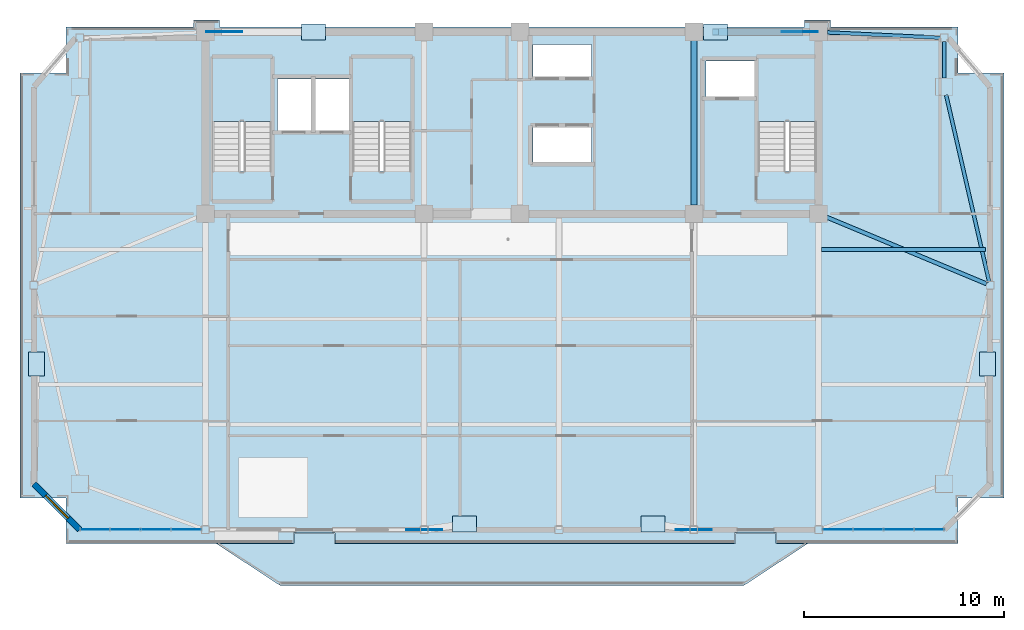
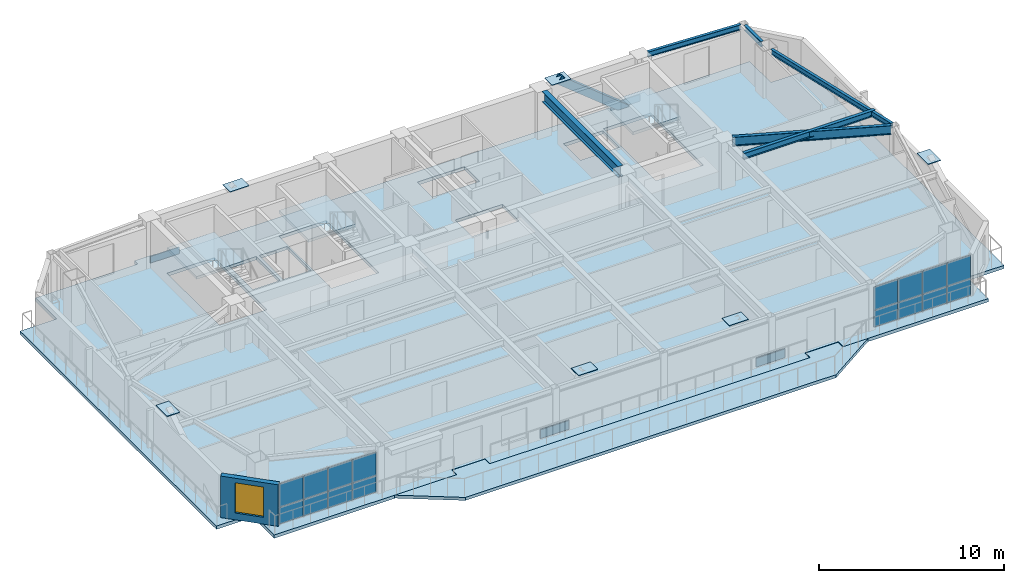
# One storey, part 5 of 13: 26 plates, 6 beams, 5 slabs, 1 member, 1 wall, 1 window, 1 opening, 5 elements without a shape of their own.
"""IFC4 building model written with IfcOpenShell, lengths in metres."""

from ifc_helpers import new_model, si_unit, direction, frame, frame_2d, origin, origin_2d, place, context, subcontext, project, spatial, polyline, rectangle, hollow_rectangle, i_section, outline, extrude, source, transform, mapped, material, layer, layer_set, material_profile, profile_set, type_object, element, fill, aggregate, save


model = new_model("IFC4")

# Units and contexts
model_context = context("Model", 3, precision=1e-05, world=origin(), true_north=direction((0.0, 1.0)))
body_context = subcontext(model_context, "Body", "Model", "MODEL_VIEW")
ifc_project = project(units=[si_unit("LENGTHUNIT", "METRE"), si_unit("AREAUNIT", "SQUARE_METRE"), si_unit("VOLUMEUNIT", "CUBIC_METRE"), si_unit("PLANEANGLEUNIT", "RADIAN"), si_unit("MASSUNIT", "GRAM", prefix="KILO")], contexts=[model_context])

# Site, building, storey
site_placement = place(None, origin())
site = spatial("IfcSite", under=ifc_project, at=site_placement, CompositionType="ELEMENT")
building_placement = place(site_placement, origin())
building = spatial("IfcBuilding", under=site, at=building_placement, Name="Giltprow Tower", CompositionType="ELEMENT")
storey_placement = place(building_placement, frame((0.0, 0.0, 324.39990234375)))
storey = spatial("IfcBuildingStorey", under=building, at=storey_placement, Name="L84", CompositionType="ELEMENT", Elevation=324.39990234375)

# Beams
ifc_material_1 = material(Name="Structural steel Q355B", Category="steel")
ifc_material_profile_1 = material_profile(ifc_material_1, i_section(OverallWidth=0.300048828125, OverallDepth=0.699951171875, WebThickness=0.012939453125, FlangeThickness=0.02392578125, at=origin_2d()), Name="HN 700x300x13x24")
ifc_profile_set_1 = profile_set([ifc_material_profile_1], Name="Structural steel Q355B")
beam_type_1 = type_object("IfcBeamType", Name="BM-GIRD-HN700", PredefinedType="BEAM", material=ifc_profile_set_1)
shared_shape_1 = source(origin(), body_context, "Body", "SweptSolid", [
    extrude(i_section(OverallWidth=0.300048828125, OverallDepth=0.699951171875, WebThickness=0.012939453125, FlangeThickness=0.02392578125, at=origin_2d()), origin(), (0.0, 0.0, 1.0), 8.22998046875),
])
beam_1_placement = place(storey_placement, frame((44.300048828125, 37.885009765625, 2.77001953125), z_axis=(0.0, 1.0, 0.0), x_axis=(-1.0, 0.0, 0.0)))
element("IfcBeam", 1, at=beam_1_placement, inside=storey, type_object=beam_type_1, Name="L84 Core Tie Girder M3", PredefinedType="BEAM", context=body_context, shape_type="MappedRepresentation", body=[
    mapped(shared_shape_1, transform((0.0, 0.0, 0.0), x_axis=(1.0, 0.0, 0.0), y_axis=(0.0, 1.0, 0.0), z_axis=(0.0, 0.0, 1.0), scale=1.0)),
])
ifc_material_profile_2 = material_profile(ifc_material_1, i_section(OverallWidth=0.175048828125, OverallDepth=0.35009765625, WebThickness=0.007080078125, FlangeThickness=0.010986328125, at=origin_2d()), Name="HN 350x175x7x11")
ifc_profile_set_2 = profile_set([ifc_material_profile_2], Name="Structural steel Q355B")
beam_type_2 = type_object("IfcBeamType", Name="BM-SPAN-HN350", PredefinedType="SPANDREL", material=ifc_profile_set_2)
shared_shape_2 = source(origin(), body_context, "Body", "SweptSolid", [
    extrude(i_section(OverallWidth=0.175048828125, OverallDepth=0.35009765625, WebThickness=0.007080078125, FlangeThickness=0.010986328125, at=origin_2d()), origin(), (0.0, 0.0, 1.0), 9.580810546875),
])
beam_2_placement = place(storey_placement, frame((59.089111328125, 34.048095703125, 2.945068359375), z_axis=(-0.224626866527, 0.974444852639, 0.0), x_axis=(-0.974444852639, -0.224626866527, 0.0)))
element("IfcBeam", 2, at=beam_2_placement, inside=storey, type_object=beam_type_2, Name="L84 Perimeter Spandrel Beam E_MID-MC_NE", PredefinedType="SPANDREL", context=body_context, shape_type="MappedRepresentation", body=[
    mapped(shared_shape_2, transform((0.0, 0.0, 0.0), x_axis=(1.0, 0.0, 0.0), y_axis=(0.0, 1.0, 0.0), z_axis=(0.0, 0.0, 1.0), scale=1.0)),
])
shared_shape_3 = source(origin(), body_context, "Body", "SweptSolid", [
    extrude(i_section(OverallWidth=0.175048828125, OverallDepth=0.35009765625, WebThickness=0.007080078125, FlangeThickness=0.010986328125, at=origin_2d()), origin(), (0.0, 0.0, 1.0), 1.822021484375),
])
beam_3_placement = place(storey_placement, frame((56.839111328125, 44.242919921875, 2.945068359375), z_axis=(0.0, 1.0, 0.0), x_axis=(-1.0, 0.0, 0.0)))
element("IfcBeam", 3, at=beam_3_placement, inside=storey, type_object=beam_type_2, Name="L84 Perimeter Spandrel Beam MC_NE-N_E", PredefinedType="SPANDREL", context=body_context, shape_type="MappedRepresentation", body=[
    mapped(shared_shape_3, transform((0.0, 0.0, 0.0), x_axis=(1.0, 0.0, 0.0), y_axis=(0.0, 1.0, 0.0), z_axis=(0.0, 0.0, 1.0), scale=1.0)),
])
shared_shape_4 = source(origin(), body_context, "Body", "SweptSolid", [
    extrude(i_section(OverallWidth=0.175048828125, OverallDepth=0.35009765625, WebThickness=0.007080078125, FlangeThickness=0.010986328125, at=origin_2d()), origin(), (0.0, 0.0, 1.0), 5.67529296875),
])
beam_4_placement = place(storey_placement, frame((50.985107421875, 46.529052734375, 2.945068359375), z_axis=(0.9988675537, -0.047577412334, 0.0), x_axis=(0.047577412334, 0.9988675537, 0.0)))
element("IfcBeam", 4, at=beam_4_placement, inside=storey, type_object=beam_type_2, Name="L84 North Wing Spandrel E", PredefinedType="SPANDREL", context=body_context, shape_type="MappedRepresentation", body=[
    mapped(shared_shape_4, transform((0.0, 0.0, 0.0), x_axis=(1.0, 0.0, 0.0), y_axis=(0.0, 1.0, 0.0), z_axis=(0.0, 0.0, 1.0), scale=1.0)),
])
ifc_material_profile_3 = material_profile(ifc_material_1, i_section(OverallWidth=0.199951171875, OverallDepth=0.60009765625, WebThickness=0.010986328125, FlangeThickness=0.01708984375, at=origin_2d()), Name="HN 600x200x11x17")
ifc_profile_set_3 = profile_set([ifc_material_profile_3], Name="Structural steel Q355B")
beam_type_3 = type_object("IfcBeamType", Name="BM-GIRD-HN600", PredefinedType="BEAM", material=ifc_profile_set_3)
shared_shape_5 = source(origin(), body_context, "Body", "SweptSolid", [
    extrude(i_section(OverallWidth=0.199951171875, OverallDepth=0.60009765625, WebThickness=0.010986328125, FlangeThickness=0.01708984375, at=origin_2d()), origin(), (0.0, 0.0, 1.0), 8.6787109375),
])
beam_5_placement = place(storey_placement, frame((58.9599609375, 33.93896484375, 2.820068359375), z_axis=(-0.922834547901, 0.38519656956, 0.0), x_axis=(-0.38519656956, -0.922834547901, 0.0)))
element("IfcBeam", 5, at=beam_5_placement, inside=storey, type_object=beam_type_3, Name="L84 East Wing Primary Girder", PredefinedType="BEAM", context=body_context, shape_type="MappedRepresentation", body=[
    mapped(shared_shape_5, transform((0.0, 0.0, 0.0), x_axis=(1.0, 0.0, 0.0), y_axis=(0.0, 1.0, 0.0), z_axis=(0.0, 0.0, 1.0), scale=1.0)),
])
ifc_material_profile_4 = material_profile(ifc_material_1, i_section(OverallWidth=0.199951171875, OverallDepth=0.39990234375, WebThickness=0.008056640625, FlangeThickness=0.012939453125, at=origin_2d()), Name="HN 400x200x8x13")
ifc_profile_set_4 = profile_set([ifc_material_profile_4], Name="Structural steel Q355B")
beam_type_4 = type_object("IfcBeamType", Name="BM-JOIST-HN400", PredefinedType="JOIST", material=ifc_profile_set_4)
shared_shape_6 = source(origin(), body_context, "Body", "SweptSolid", [
    extrude(i_section(OverallWidth=0.199951171875, OverallDepth=0.39990234375, WebThickness=0.008056640625, FlangeThickness=0.012939453125, at=origin_2d()), origin(), (0.0, 0.0, 1.0), 8.2158203125),
])
beam_6_placement = place(storey_placement, frame((50.695068359375, 35.658935546875, 2.920166015625), z_axis=(1.0, 0.0, 0.0), x_axis=(0.0, 1.0, 0.0)))
element("IfcBeam", 6, at=beam_6_placement, inside=storey, type_object=beam_type_4, Name="L84 East Wing Floor Joist 2", PredefinedType="JOIST", context=body_context, shape_type="MappedRepresentation", body=[
    mapped(shared_shape_6, transform((0.0, 0.0, 0.0), x_axis=(1.0, 0.0, 0.0), y_axis=(0.0, 1.0, 0.0), z_axis=(0.0, 0.0, 1.0), scale=1.0)),
])

# Member
ifc_material_2 = material(Name="Structural steel Q420GJC", Category="steel")
ifc_material_profile_5 = material_profile(ifc_material_2, hollow_rectangle(XDim=0.35009765625, YDim=0.5, WallThickness=0.02392578125, at=origin_2d()), Name="RHS 500x350x24")
ifc_profile_set_5 = profile_set([ifc_material_profile_5], Name="Structural steel Q420GJC")
member_type = type_object("IfcMemberType", Name="MBR-MEGA-RHS500", PredefinedType="BRACE", material=ifc_profile_set_5)
shared_shape_7 = source(origin(), body_context, "Body", "SweptSolid", [
    extrude(hollow_rectangle(XDim=0.35009765625, YDim=0.5, WallThickness=0.02392578125, at=origin_2d()), origin(), (0.0, 0.0, 1.0), 5.4130859375),
])
member_placement = place(storey_placement, frame((49.60009765625, 46.550048828125, -0.139892578125), z_axis=(-0.778142100016, 0.0, 0.628088267827), x_axis=(0.0, -1.0, 0.0)))
element("IfcMember", 7, at=member_placement, inside=storey, type_object=member_type, Name="L84 Chevron Mega-Brace N-R", PredefinedType="BRACE", context=body_context, shape_type="MappedRepresentation", body=[
    mapped(shared_shape_7, transform((0.0, 0.0, 0.0), x_axis=(1.0, 0.0, 0.0), y_axis=(0.0, 1.0, 0.0), z_axis=(0.0, 0.0, 1.0), scale=1.0)),
])

# Slabs
ifc_material_3 = material(Name="Concrete C40", Category="concrete")
ifc_layer_1 = layer(ifc_material_3, 0.199951171875, Name="Concrete C40")
ifc_layer_set_1 = layer_set([ifc_layer_1], Name="Concrete C40")
slab_type_1 = type_object("IfcSlabType", Name="SLB-BALC-BRONZE-200", PredefinedType="FLOOR", material=ifc_layer_set_1)
slab_1_placement = place(storey_placement, frame((0.0, 0.0, -0.199951171875)))
element("IfcSlab", 8, at=slab_1_placement, inside=storey, type_object=slab_type_1, Name="L84 Bronze Prow Waterfront Balcony Slab", PredefinedType="FLOOR", context=body_context, shape_type="SweptSolid", body=[
    extrude(outline(polyline([(50.0, 20.93603515625), (46.800048828125, 18.8359375), (23.60009765625, 18.8359375), (20.39990234375, 20.93603515625), (24.280029296875, 20.93603515625), (24.280029296875, 21.43603515625), (26.320068359375, 21.43603515625), (26.320068359375, 20.93603515625), (46.3798828125, 20.93603515625), (46.3798828125, 21.43603515625), (48.419921875, 21.43603515625), (48.419921875, 20.93603515625), (50.0, 20.93603515625)])), origin(), (0.0, 0.0, 1.0), 0.199951171875),
])
ifc_layer_2 = layer(ifc_material_3, 0.215087890625, Name="Concrete C40")
ifc_layer_set_2 = layer_set([ifc_layer_2], Name="Concrete C40")
slab_type_2 = type_object("IfcSlabType", Name="SLB-RES-215", PredefinedType="FLOOR", material=ifc_layer_set_2)
slab_2_placement = place(storey_placement, frame((0.0, 0.0, -0.21484375)))
element("IfcSlab", 9, at=slab_2_placement, inside=storey, type_object=slab_type_2, Name="L84 Structural Composite Floor Slab", PredefinedType="FLOOR", context=body_context, shape_type="SweptSolid", body=[
    extrude(outline(polyline([(59.8310546875, 44.508056640625), (59.8310546875, 23.22802734375), (57.5380859375, 23.22802734375), (57.5380859375, 20.93603515625), (48.449951171875, 20.93603515625), (48.449951171875, 21.4560546875), (46.35009765625, 21.4560546875), (46.35009765625, 20.93603515625), (26.35009765625, 20.93603515625), (26.35009765625, 21.4560546875), (24.25, 21.4560546875), (24.25, 20.93603515625), (12.862060546875, 20.93603515625), (12.862060546875, 23.22802734375), (10.570068359375, 23.22802734375), (10.570068359375, 44.508056640625), (12.862060546875, 44.508056640625), (12.862060546875, 46.800048828125), (19.25, 46.800048828125), (19.25, 47.14990234375), (20.550048828125, 47.14990234375), (20.550048828125, 46.800048828125), (49.85009765625, 46.800048828125), (49.85009765625, 47.14990234375), (51.14990234375, 47.14990234375), (51.14990234375, 46.800048828125), (57.5380859375, 46.800048828125), (57.5380859375, 44.508056640625), (59.8310546875, 44.508056640625)]), holes=[polyline([(39.18994140625, 41.800048828125), (36.239990234375, 41.800048828125), (36.239990234375, 40.0), (39.18994140625, 40.0), (39.18994140625, 41.800048828125)]), polyline([(23.159912109375, 39.570068359375), (23.159912109375, 45.25), (20.199951171875, 45.25), (20.199951171875, 39.570068359375), (23.159912109375, 39.570068359375)]), polyline([(30.159912109375, 39.570068359375), (30.159912109375, 45.25), (27.199951171875, 45.25), (27.199951171875, 39.570068359375), (30.159912109375, 39.570068359375)]), polyline([(50.4599609375, 45.25), (47.5, 45.25), (47.5, 39.570068359375), (50.4599609375, 39.570068359375), (50.4599609375, 45.25)]), polyline([(25.169921875, 44.199951171875), (23.449951171875, 44.199951171875), (23.449951171875, 41.60009765625), (25.169921875, 41.60009765625), (25.169921875, 44.199951171875)]), polyline([(27.10009765625, 44.199951171875), (25.35009765625, 44.199951171875), (25.35009765625, 41.60009765625), (27.10009765625, 41.60009765625), (27.10009765625, 44.199951171875)]), polyline([(47.3798828125, 43.300048828125), (47.3798828125, 45.10009765625), (44.919921875, 45.10009765625), (44.919921875, 43.300048828125), (47.3798828125, 43.300048828125)]), polyline([(39.18994140625, 44.300048828125), (39.18994140625, 45.919921875), (36.239990234375, 45.919921875), (36.239990234375, 44.300048828125), (39.18994140625, 44.300048828125)])]), origin(), (0.0, 0.0, 1.0), 0.21484375),
])

# Stair, slab
stair_type_1 = type_object("IfcStairType", Name="STR-ST-1", PredefinedType="HALF_TURN_STAIR", material=ifc_material_3)
stair_1_placement = place(storey_placement, origin())
stair_1 = element("IfcStair", 10, at=stair_1_placement, inside=storey, type_object=stair_type_1, Name="L84 Core Exit Stair ST-1", PredefinedType="HALF_TURN_STAIR")
ifc_layer_3 = layer(ifc_material_3, 0.179931640625, Name="Concrete C40")
ifc_layer_set_3 = layer_set([ifc_layer_3], Name="Concrete C40")
slab_type_3 = type_object("IfcSlabType", Name="SLD-ST-1", PredefinedType="LANDING", material=ifc_layer_set_3)
slab_3_placement = place(storey_placement, frame((0.0, 0.0, 1.52001953125)))
slab_3 = element("IfcSlab", 11, at=slab_3_placement, type_object=slab_type_3, Name="ST-1 landing 1", PredefinedType="LANDING", context=body_context, shape_type="SweptSolid", body=[
    extrude(outline(polyline([(23.159912109375, 42.070068359375), (23.159912109375, 45.25), (20.199951171875, 45.25), (20.199951171875, 42.070068359375), (23.159912109375, 42.070068359375)])), origin(), (0.0, 0.0, 1.0), 0.18017578125),
])
aggregate(stair_1, [slab_3])

stair_type_2 = type_object("IfcStairType", Name="STR-ST-2", PredefinedType="HALF_TURN_STAIR", material=ifc_material_3)
stair_2_placement = place(storey_placement, origin())
stair_2 = element("IfcStair", 12, at=stair_2_placement, inside=storey, type_object=stair_type_2, Name="L84 Core Exit Stair ST-2", PredefinedType="HALF_TURN_STAIR")
ifc_layer_4 = layer(ifc_material_3, 0.18798828125, Name="Concrete C40")
ifc_layer_set_4 = layer_set([ifc_layer_4], Name="Concrete C40")
slab_type_4 = type_object("IfcSlabType", Name="SLD-ST-2", PredefinedType="LANDING", material=ifc_layer_set_4)
slab_4_placement = place(storey_placement, frame((0.0, 0.0, 1.51220703125)))
slab_4 = element("IfcSlab", 13, at=slab_4_placement, type_object=slab_type_4, Name="ST-2 landing 1", PredefinedType="LANDING", context=body_context, shape_type="SweptSolid", body=[
    extrude(outline(polyline([(30.159912109375, 42.070068359375), (30.159912109375, 45.25), (27.199951171875, 45.25), (27.199951171875, 42.070068359375), (30.159912109375, 42.070068359375)])), origin(), (0.0, 0.0, 1.0), 0.18798828125),
])
aggregate(stair_2, [slab_4])

stair_type_3 = type_object("IfcStairType", Name="STR-ST-3", PredefinedType="HALF_TURN_STAIR", material=ifc_material_3)
stair_3_placement = place(storey_placement, origin())
stair_3 = element("IfcStair", 14, at=stair_3_placement, inside=storey, type_object=stair_type_3, Name="L84 Core Exit Stair ST-3", PredefinedType="HALF_TURN_STAIR")
ifc_layer_5 = layer(ifc_material_3, 0.196044921875, Name="Concrete C40")
ifc_layer_set_5 = layer_set([ifc_layer_5], Name="Concrete C40")
slab_type_5 = type_object("IfcSlabType", Name="SLD-ST-3", PredefinedType="LANDING", material=ifc_layer_set_5)
slab_5_placement = place(storey_placement, frame((0.0, 0.0, 1.504150390625)))
slab_5 = element("IfcSlab", 15, at=slab_5_placement, type_object=slab_type_5, Name="ST-3 landing 1", PredefinedType="LANDING", context=body_context, shape_type="SweptSolid", body=[
    extrude(outline(polyline([(50.4599609375, 42.070068359375), (50.4599609375, 45.25), (47.5, 45.25), (47.5, 42.070068359375), (50.4599609375, 42.070068359375)])), origin(), (0.0, 0.0, 1.0), 0.196044921875),
])
aggregate(stair_3, [slab_5])

# Plates
plate_type_1 = type_object("IfcPlateType", Name="PLT-NODE-MBN1", PredefinedType="USERDEFINED", material=ifc_material_2)
shared_shape_8 = source(origin(), body_context, "Body", "SweptSolid", [
    extrude(rectangle(XDim=1.800048828125, YDim=0.050048828125, at=origin_2d()), origin(), (0.0, 0.0, 1.0), 1.14990234375),
])
for number, where, z_axis, x_axis, name in (
    (16, (30.800048828125, 21.635986328125, -0.574951171875), (0.0, 0.0, 1.0), (1.0, 0.0, 0.0), "Mega-Brace Node L84-S-LA"),
    (17, (44.300048828125, 21.635986328125, -0.574951171875), (0.0, 0.0, 1.0), (1.0, 0.0, 0.0), "Mega-Brace Node L84-S-RA"),
    (18, (20.800048828125, 46.550048828125, -0.71484375), (0.0, 0.0, 1.0), (1.0, 0.0, 0.0), "Mega-Brace Node L84-N-LA"),
    (19, (49.60009765625, 46.550048828125, -0.71484375), (0.0, 0.0, 1.0), (1.0, 0.0, 0.0), "Mega-Brace Node L84-N-RA"),
):
    element("IfcPlate", number, at=place(storey_placement, frame(where, z_axis=z_axis, x_axis=x_axis)), inside=storey, type_object=plate_type_1, Name=name, ObjectType="GUSSET", PredefinedType="USERDEFINED", context=body_context, shape_type="MappedRepresentation", body=[
        mapped(shared_shape_8, transform((0.0, 0.0, 0.0), x_axis=(1.0, 0.0, 0.0), y_axis=(0.0, 1.0, 0.0), z_axis=(0.0, 0.0, 1.0), scale=1.0)),
    ])
plate_type_2 = type_object("IfcPlateType", Name="PLT-CAP-SEAL", PredefinedType="USERDEFINED", material=ifc_material_2)
shared_shape_9 = source(origin(), body_context, "Body", "SweptSolid", [
    extrude(rectangle(XDim=1.199951171875, YDim=0.800048828125, at=origin_2d()), origin(), (0.0, 0.0, 1.0), 0.034912109375),
])
for number, where, z_axis, x_axis, name in (
    (20, (32.8310546875, 21.916015625, 3.3828125), (0.0, 0.0, 1.0), (1.0, 0.0, 0.0), "Mega-Brace Node L84-S-LB"),
    (21, (42.26904296875, 21.916015625, 3.3828125), (0.0, 0.0, 1.0), (1.0, 0.0, 0.0), "Mega-Brace Node L84-S-RB"),
    (22, (25.2529296875, 46.550048828125, 3.24267578125), (0.0, 0.0, 1.0), (1.0, 0.0, 0.0), "Mega-Brace Node L84-N-LB"),
    (23, (45.387939453125, 46.550048828125, 3.24267578125), (0.0, 0.0, 1.0), (1.0, 0.0, 0.0), "Mega-Brace Node L84-N-RB"),
    (24, (11.39501953125, 29.923095703125, 3.3828125), (0.0, 0.0, 1.0), (0.0, 1.0, 0.0), "Mega-Brace Node L84-W-DB"),
    (25, (59.006103515625, 29.923095703125, 3.3828125), (0.0, 0.0, 1.0), (0.0, 1.0, 0.0), "Mega-Brace Node L84-E-DB"),
):
    element("IfcPlate", number, at=place(storey_placement, frame(where, z_axis=z_axis, x_axis=x_axis)), inside=storey, type_object=plate_type_2, Name=name, ObjectType="SPLICE", PredefinedType="USERDEFINED", context=body_context, shape_type="MappedRepresentation", body=[
        mapped(shared_shape_9, transform((0.0, 0.0, 0.0), x_axis=(1.0, 0.0, 0.0), y_axis=(0.0, 1.0, 0.0), z_axis=(0.0, 0.0, 1.0), scale=1.0)),
    ])

# Curtain wall, plates
ifc_material_4 = material(Name="Anodized bronze", Category="metal")
ifc_layer_6 = layer(ifc_material_4, 0.179931640625, Name="Anodized bronze")
ifc_layer_set_6 = layer_set([ifc_layer_6], Name="Anodized bronze")
curtain_wall_type = type_object("IfcCurtainWallType", Name="CW-RES-SKY", PredefinedType="NOTDEFINED", material=ifc_layer_set_6)
curtain_wall_1_placement = place(storey_placement, origin())
curtain_wall_1 = element("IfcCurtainWall", 26, at=curtain_wall_1_placement, inside=storey, type_object=curtain_wall_type, Name="L84 South Recessed Curtain Wall 1", PredefinedType="NOTDEFINED")
ifc_material_5 = material(Name="Insulated glass", Category="glass")
plate_type_3 = type_object("IfcPlateType", Name="CW-PANEL-IGU-28", PredefinedType="CURTAIN_PANEL", material=ifc_material_5)
shared_shape_10 = source(origin(), body_context, "Body", "SweptSolid", [
    extrude(rectangle(XDim=1.491943359375, YDim=0.028076171875, at=origin_2d()), origin(), (0.0, 0.0, 1.0), 1.0869140625),
])
plate_1_placement = place(storey_placement, frame((14.322998046875, 21.635986328125, 0.0546875), z_axis=(0.0, 0.0, 1.0), x_axis=(1.0, 0.0, 0.0)))
plate_1 = element("IfcPlate", 27, at=plate_1_placement, type_object=plate_type_3, Name="L84 South Recessed Curtain Wall 1 Glazing Panel 1-1", PredefinedType="CURTAIN_PANEL", context=body_context, shape_type="MappedRepresentation", body=[
    mapped(shared_shape_10, transform((0.0, 0.0, 0.0), x_axis=(1.0, 0.0, 0.0), y_axis=(0.0, 1.0, 0.0), z_axis=(0.0, 0.0, 1.0), scale=1.0)),
])
plate_2_placement = place(storey_placement, frame((15.844970703125, 21.635986328125, 0.0546875), z_axis=(0.0, 0.0, 1.0), x_axis=(1.0, 0.0, 0.0)))
plate_2 = element("IfcPlate", 28, at=plate_2_placement, type_object=plate_type_3, Name="L84 South Recessed Curtain Wall 1 Glazing Panel 2-1", PredefinedType="CURTAIN_PANEL", context=body_context, shape_type="MappedRepresentation", body=[
    mapped(shared_shape_10, transform((0.0, 0.0, 0.0), x_axis=(1.0, 0.0, 0.0), y_axis=(0.0, 1.0, 0.0), z_axis=(0.0, 0.0, 1.0), scale=1.0)),
])
plate_3_placement = place(storey_placement, frame((17.366943359375, 21.635986328125, 0.0546875), z_axis=(0.0, 0.0, 1.0), x_axis=(1.0, 0.0, 0.0)))
plate_3 = element("IfcPlate", 29, at=plate_3_placement, type_object=plate_type_3, Name="L84 South Recessed Curtain Wall 1 Glazing Panel 3-1", PredefinedType="CURTAIN_PANEL", context=body_context, shape_type="MappedRepresentation", body=[
    mapped(shared_shape_10, transform((0.0, 0.0, 0.0), x_axis=(1.0, 0.0, 0.0), y_axis=(0.0, 1.0, 0.0), z_axis=(0.0, 0.0, 1.0), scale=1.0)),
])
plate_4_placement = place(storey_placement, frame((18.888916015625, 21.635986328125, 0.0546875), z_axis=(0.0, 0.0, 1.0), x_axis=(1.0, 0.0, 0.0)))
plate_4 = element("IfcPlate", 30, at=plate_4_placement, type_object=plate_type_3, Name="L84 South Recessed Curtain Wall 1 Glazing Panel 4-1", PredefinedType="CURTAIN_PANEL", context=body_context, shape_type="MappedRepresentation", body=[
    mapped(shared_shape_10, transform((0.0, 0.0, 0.0), x_axis=(1.0, 0.0, 0.0), y_axis=(0.0, 1.0, 0.0), z_axis=(0.0, 0.0, 1.0), scale=1.0)),
])

curtain_wall_2_placement = place(storey_placement, origin())
curtain_wall_2 = element("IfcCurtainWall", 31, at=curtain_wall_2_placement, inside=storey, type_object=curtain_wall_type, Name="L84 South Recessed Curtain Wall 6", PredefinedType="NOTDEFINED")
plate_5_placement = place(storey_placement, frame((51.510986328125, 21.635986328125, 0.0546875), z_axis=(0.0, 0.0, 1.0), x_axis=(1.0, 0.0, 0.0)))
plate_5 = element("IfcPlate", 32, at=plate_5_placement, type_object=plate_type_3, Name="L84 South Recessed Curtain Wall 6 Glazing Panel 1-1", PredefinedType="CURTAIN_PANEL", context=body_context, shape_type="MappedRepresentation", body=[
    mapped(shared_shape_10, transform((0.0, 0.0, 0.0), x_axis=(1.0, 0.0, 0.0), y_axis=(0.0, 1.0, 0.0), z_axis=(0.0, 0.0, 1.0), scale=1.0)),
])
plate_6_placement = place(storey_placement, frame((53.032958984375, 21.635986328125, 0.0546875), z_axis=(0.0, 0.0, 1.0), x_axis=(1.0, 0.0, 0.0)))
plate_6 = element("IfcPlate", 33, at=plate_6_placement, type_object=plate_type_3, Name="L84 South Recessed Curtain Wall 6 Glazing Panel 2-1", PredefinedType="CURTAIN_PANEL", context=body_context, shape_type="MappedRepresentation", body=[
    mapped(shared_shape_10, transform((0.0, 0.0, 0.0), x_axis=(1.0, 0.0, 0.0), y_axis=(0.0, 1.0, 0.0), z_axis=(0.0, 0.0, 1.0), scale=1.0)),
])
plate_7_placement = place(storey_placement, frame((54.555908203125, 21.635986328125, 0.0546875), z_axis=(0.0, 0.0, 1.0), x_axis=(1.0, 0.0, 0.0)))
plate_7 = element("IfcPlate", 34, at=plate_7_placement, type_object=plate_type_3, Name="L84 South Recessed Curtain Wall 6 Glazing Panel 3-1", PredefinedType="CURTAIN_PANEL", context=body_context, shape_type="MappedRepresentation", body=[
    mapped(shared_shape_10, transform((0.0, 0.0, 0.0), x_axis=(1.0, 0.0, 0.0), y_axis=(0.0, 1.0, 0.0), z_axis=(0.0, 0.0, 1.0), scale=1.0)),
])
plate_8_placement = place(storey_placement, frame((56.077880859375, 21.635986328125, 0.0546875), z_axis=(0.0, 0.0, 1.0), x_axis=(1.0, 0.0, 0.0)))
plate_8 = element("IfcPlate", 35, at=plate_8_placement, type_object=plate_type_3, Name="L84 South Recessed Curtain Wall 6 Glazing Panel 4-1", PredefinedType="CURTAIN_PANEL", context=body_context, shape_type="MappedRepresentation", body=[
    mapped(shared_shape_10, transform((0.0, 0.0, 0.0), x_axis=(1.0, 0.0, 0.0), y_axis=(0.0, 1.0, 0.0), z_axis=(0.0, 0.0, 1.0), scale=1.0)),
])

# Plate
shared_shape_11 = source(origin(), body_context, "Body", "SweptSolid", [
    extrude(rectangle(XDim=1.491943359375, YDim=0.028076171875, at=origin_2d()), origin(), (0.0, 0.0, 1.0), 1.527099609375),
])
plate_9_placement = place(storey_placement, frame((14.322998046875, 21.635986328125, 1.16845703125), z_axis=(0.0, 0.0, 1.0), x_axis=(1.0, 0.0, 0.0)))
plate_9 = element("IfcPlate", 36, at=plate_9_placement, type_object=plate_type_3, Name="L84 South Recessed Curtain Wall 1 Glazing Panel 1-2", PredefinedType="CURTAIN_PANEL", context=body_context, shape_type="MappedRepresentation", body=[
    mapped(shared_shape_11, transform((0.0, 0.0, 0.0), x_axis=(1.0, 0.0, 0.0), y_axis=(0.0, 1.0, 0.0), z_axis=(0.0, 0.0, 1.0), scale=1.0)),
])

plate_10_placement = place(storey_placement, frame((15.844970703125, 21.635986328125, 1.16845703125), z_axis=(0.0, 0.0, 1.0), x_axis=(1.0, 0.0, 0.0)))
plate_10 = element("IfcPlate", 37, at=plate_10_placement, type_object=plate_type_3, Name="L84 South Recessed Curtain Wall 1 Glazing Panel 2-2", PredefinedType="CURTAIN_PANEL", context=body_context, shape_type="MappedRepresentation", body=[
    mapped(shared_shape_11, transform((0.0, 0.0, 0.0), x_axis=(1.0, 0.0, 0.0), y_axis=(0.0, 1.0, 0.0), z_axis=(0.0, 0.0, 1.0), scale=1.0)),
])

plate_11_placement = place(storey_placement, frame((17.366943359375, 21.635986328125, 1.16845703125), z_axis=(0.0, 0.0, 1.0), x_axis=(1.0, 0.0, 0.0)))
plate_11 = element("IfcPlate", 38, at=plate_11_placement, type_object=plate_type_3, Name="L84 South Recessed Curtain Wall 1 Glazing Panel 3-2", PredefinedType="CURTAIN_PANEL", context=body_context, shape_type="MappedRepresentation", body=[
    mapped(shared_shape_11, transform((0.0, 0.0, 0.0), x_axis=(1.0, 0.0, 0.0), y_axis=(0.0, 1.0, 0.0), z_axis=(0.0, 0.0, 1.0), scale=1.0)),
])

plate_12_placement = place(storey_placement, frame((18.888916015625, 21.635986328125, 1.16845703125), z_axis=(0.0, 0.0, 1.0), x_axis=(1.0, 0.0, 0.0)))
plate_12 = element("IfcPlate", 39, at=plate_12_placement, type_object=plate_type_3, Name="L84 South Recessed Curtain Wall 1 Glazing Panel 4-2", PredefinedType="CURTAIN_PANEL", context=body_context, shape_type="MappedRepresentation", body=[
    mapped(shared_shape_11, transform((0.0, 0.0, 0.0), x_axis=(1.0, 0.0, 0.0), y_axis=(0.0, 1.0, 0.0), z_axis=(0.0, 0.0, 1.0), scale=1.0)),
])

aggregate(curtain_wall_1, [plate_1, plate_9, plate_2, plate_10, plate_3, plate_11, plate_4, plate_12])

plate_13_placement = place(storey_placement, frame((51.510986328125, 21.635986328125, 1.16845703125), z_axis=(0.0, 0.0, 1.0), x_axis=(1.0, 0.0, 0.0)))
plate_13 = element("IfcPlate", 40, at=plate_13_placement, type_object=plate_type_3, Name="L84 South Recessed Curtain Wall 6 Glazing Panel 1-2", PredefinedType="CURTAIN_PANEL", context=body_context, shape_type="MappedRepresentation", body=[
    mapped(shared_shape_11, transform((0.0, 0.0, 0.0), x_axis=(1.0, 0.0, 0.0), y_axis=(0.0, 1.0, 0.0), z_axis=(0.0, 0.0, 1.0), scale=1.0)),
])

plate_14_placement = place(storey_placement, frame((53.032958984375, 21.635986328125, 1.16845703125), z_axis=(0.0, 0.0, 1.0), x_axis=(1.0, 0.0, 0.0)))
plate_14 = element("IfcPlate", 41, at=plate_14_placement, type_object=plate_type_3, Name="L84 South Recessed Curtain Wall 6 Glazing Panel 2-2", PredefinedType="CURTAIN_PANEL", context=body_context, shape_type="MappedRepresentation", body=[
    mapped(shared_shape_11, transform((0.0, 0.0, 0.0), x_axis=(1.0, 0.0, 0.0), y_axis=(0.0, 1.0, 0.0), z_axis=(0.0, 0.0, 1.0), scale=1.0)),
])

plate_15_placement = place(storey_placement, frame((54.555908203125, 21.635986328125, 1.16845703125), z_axis=(0.0, 0.0, 1.0), x_axis=(1.0, 0.0, 0.0)))
plate_15 = element("IfcPlate", 42, at=plate_15_placement, type_object=plate_type_3, Name="L84 South Recessed Curtain Wall 6 Glazing Panel 3-2", PredefinedType="CURTAIN_PANEL", context=body_context, shape_type="MappedRepresentation", body=[
    mapped(shared_shape_11, transform((0.0, 0.0, 0.0), x_axis=(1.0, 0.0, 0.0), y_axis=(0.0, 1.0, 0.0), z_axis=(0.0, 0.0, 1.0), scale=1.0)),
])

plate_16_placement = place(storey_placement, frame((56.077880859375, 21.635986328125, 1.16845703125), z_axis=(0.0, 0.0, 1.0), x_axis=(1.0, 0.0, 0.0)))
plate_16 = element("IfcPlate", 43, at=plate_16_placement, type_object=plate_type_3, Name="L84 South Recessed Curtain Wall 6 Glazing Panel 4-2", PredefinedType="CURTAIN_PANEL", context=body_context, shape_type="MappedRepresentation", body=[
    mapped(shared_shape_11, transform((0.0, 0.0, 0.0), x_axis=(1.0, 0.0, 0.0), y_axis=(0.0, 1.0, 0.0), z_axis=(0.0, 0.0, 1.0), scale=1.0)),
])

aggregate(curtain_wall_2, [plate_5, plate_13, plate_6, plate_14, plate_7, plate_15, plate_8, plate_16])

# Wall, opening, window
ifc_material_6 = material(Name="Precast concrete C40", Category="concrete")
ifc_layer_7 = layer(ifc_material_6, 0.300048828125, Name="Precast concrete C40")
ifc_layer_set_7 = layer_set([ifc_layer_7], Name="Precast concrete C40")
wall_type = type_object("IfcWallType", Name="EW-NOTCH-CHAMFER-300", PredefinedType="SOLIDWALL", material=ifc_layer_set_7)
wall_placement = place(storey_placement, frame((11.27001953125, 23.927978515625, 0.0), z_axis=(0.0, 0.0, 1.0), x_axis=(0.707106781187, -0.707106781187, 0.0)))
wall = element("IfcWall", 44, at=wall_placement, inside=storey, type_object=wall_type, Name="L84 Corner Notch Wall SW", PredefinedType="SOLIDWALL", context=body_context, shape_type="SweptSolid", body=[
    extrude(rectangle(XDim=3.241455078125, YDim=0.300048828125, at=frame_2d((1.62060546875, 0.0))), origin(), (0.0, 0.0, 1.0), 2.75),
])
opening_placement = place(wall_placement, frame((0.821044921875, 0.0, 0.449951171875)))
opening = element("IfcOpeningElement", 45, at=opening_placement, cuts=wall, Name="Opening WN17", PredefinedType="OPENING", context=body_context, shape_type="SweptSolid", body=[
    extrude(rectangle(XDim=1.60009765625, YDim=2.0, at=frame_2d((0.800048828125, 1.0))), frame((0.0, 0.159912109375, 0.0), z_axis=(0.0, -1.0, 0.0), x_axis=(1.0, 0.0, 0.0)), (0.0, 0.0, 1.0), 0.320068359375),
])
window_type = type_object("IfcWindowType", Name="WN-COR-1600x2000", PartitioningType="SINGLE_PANEL", PredefinedType="WINDOW", material=ifc_material_5)
shared_shape_12 = source(origin(), body_context, "Body", "SweptSolid", [
    extrude(rectangle(XDim=1.60009765625, YDim=2.0, at=frame_2d((0.800048828125, 1.0))), frame((0.0, 0.030029296875, 0.0), z_axis=(0.0, -1.0, 0.0), x_axis=(1.0, 0.0, 0.0)), (0.0, 0.0, 1.0), 0.06005859375),
])
window_placement = place(opening_placement, origin())
window = element("IfcWindow", 46, at=window_placement, inside=storey, type_object=window_type, Name="L84 Corner Notch Window SW", OverallHeight=2.0, OverallWidth=1.60009765625, PartitioningType="SINGLE_PANEL", PredefinedType="WINDOW", context=body_context, shape_type="MappedRepresentation", body=[
    mapped(shared_shape_12, transform((0.0, 0.0, 0.0), x_axis=(1.0, 0.0, 0.0), y_axis=(0.0, 1.0, 0.0), z_axis=(0.0, 0.0, 1.0), scale=1.0)),
])
fill(opening, window)

save(model, "model.ifc")
